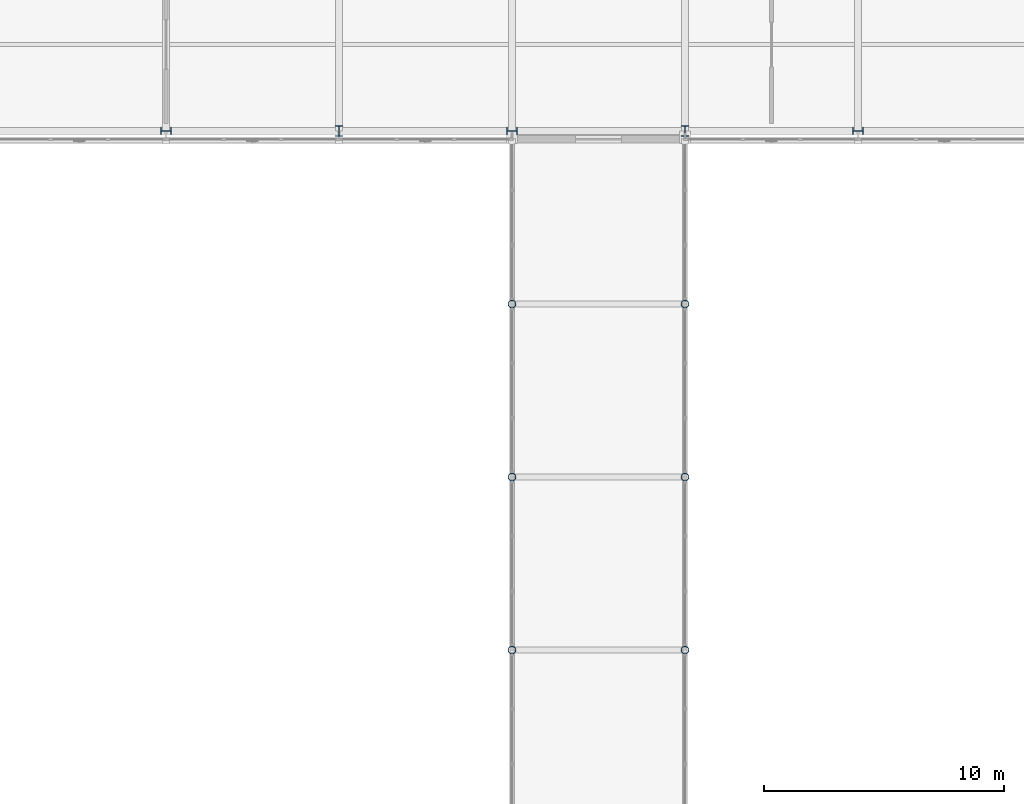
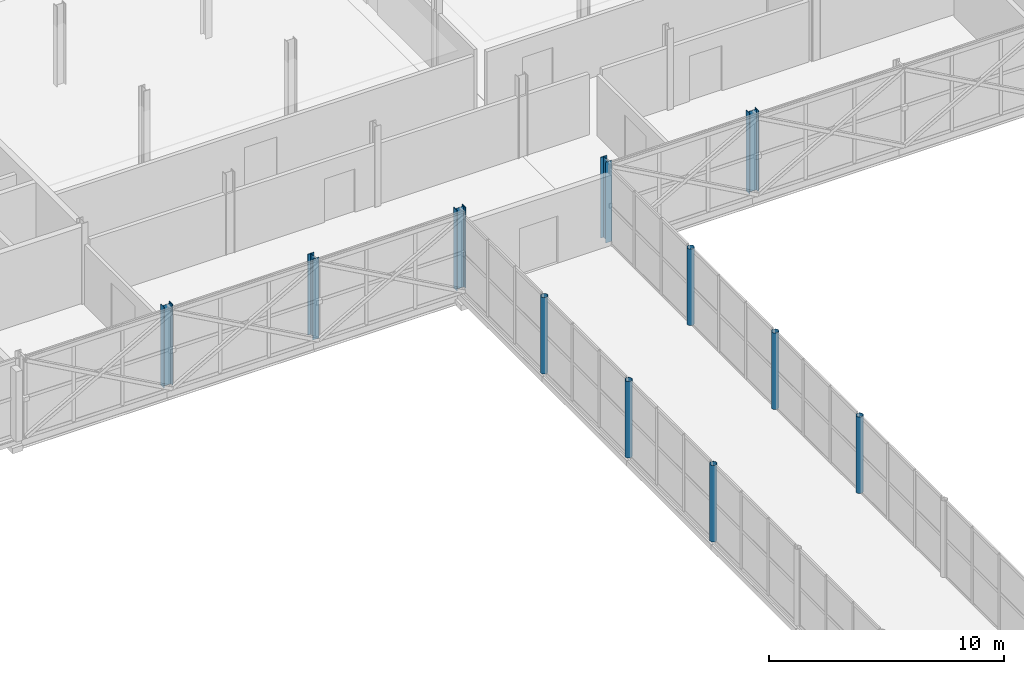
# One storey, part 16 of 146: 11 columns.
"""IFC4 building model written with IfcOpenShell, lengths in metres."""

from ifc_helpers import new_model, si_unit, direction, frame, origin, origin_2d, place, context, subcontext, project, spatial, hollow_circle, i_section, extrude, material, material_profile, profile_set, type_object, element, save


model = new_model("IFC4")

# Units and contexts
model_context = context("Model", 3, precision=1e-05, world=origin(), true_north=direction((0.0, 1.0)))
body_context = subcontext(model_context, "Body", "Model", "MODEL_VIEW")
ifc_project = project(units=[si_unit("LENGTHUNIT", "METRE"), si_unit("AREAUNIT", "SQUARE_METRE"), si_unit("VOLUMEUNIT", "CUBIC_METRE"), si_unit("PLANEANGLEUNIT", "RADIAN"), si_unit("MASSUNIT", "GRAM", prefix="KILO")], contexts=[model_context])

# Site, building, storey
site_placement = place(None, origin())
site = spatial("IfcSite", under=ifc_project, at=site_placement, CompositionType="ELEMENT")
building_placement = place(site_placement, origin())
building = spatial("IfcBuilding", under=site, at=building_placement, Name="Zlatovets Crest Museum", CompositionType="ELEMENT")
storey_placement = place(building_placement, frame((0.0, 0.0, 4.5)))
storey = spatial("IfcBuildingStorey", under=building, at=storey_placement, Name="L01", CompositionType="ELEMENT", Elevation=4.5)

# Columns
ifc_material = material(Name="Structural steel S355J2", Category="steel")
ifc_material_profile_1 = material_profile(ifc_material, i_section(OverallWidth=0.300048828125, OverallDepth=0.449951171875, WebThickness=0.013916015625, FlangeThickness=0.02587890625, FilletRadius=0.027099609375, at=origin_2d()), Name="HEB 450")
ifc_profile_set_1 = profile_set([ifc_material_profile_1], Name="Structural steel S355J2")
column_type_1 = type_object("IfcColumnType", Name="Col_C-06", PredefinedType="COLUMN", material=ifc_profile_set_1)
for number, where, z_axis, x_axis, name in (
    (1, (64.800048828125, 86.39990234375, 0.0), (0.0, 0.0, 1.0), (0.0, 1.0, 0.0), "V1 L01 Column (64.8, 86.4)"),
    (2, (72.0, 86.39990234375, 0.0), (0.0, 0.0, 1.0), (1.0, 0.0, 0.0), "V1 L01 Column (72.0, 86.4)"),
    (3, (79.199951171875, 86.39990234375, 0.0), (0.0, 0.0, 1.0), (0.0, 1.0, 0.0), "V1 L01 Column (79.2, 86.4)"),
    (4, (86.39990234375, 86.39990234375, 0.0), (0.0, 0.0, 1.0), (1.0, 0.0, 0.0), "V1 L01 Column (86.4, 86.4)"),
    (5, (93.60009765625, 86.39990234375, 0.0), (0.0, 0.0, 1.0), (0.0, 1.0, 0.0), "V1 L01 Column (93.6, 86.4)"),
):
    element("IfcColumn", number, at=place(storey_placement, frame(where, z_axis=z_axis, x_axis=x_axis)), inside=storey, type_object=column_type_1, Name=name, PredefinedType="COLUMN", context=body_context, shape_type="SweptSolid", body=[
        extrude(i_section(OverallWidth=0.300048828125, OverallDepth=0.449951171875, WebThickness=0.013916015625, FlangeThickness=0.02587890625, FilletRadius=0.027099609375, at=origin_2d()), origin(), (0.0, 0.0, 1.0), 4.199951171875),
    ])
ifc_material_profile_2 = material_profile(ifc_material, hollow_circle(Radius=0.161865234375, WallThickness=0.012451171875, at=origin_2d()), Name="CHS 323.9x12.5")
ifc_profile_set_2 = profile_set([ifc_material_profile_2], Name="Structural steel S355J2")
column_type_2 = type_object("IfcColumnType", Name="Col_C-13", PredefinedType="COLUMN", material=ifc_profile_set_2)
for number, where, z_axis, x_axis, name in (
    (6, (79.199951171875, 64.800048828125, 0.0), (0.0, 0.0, 1.0), (1.0, 0.0, 0.0), "Central Sculpture Court Cloister and Skywalk Portal Column"),
    (7, (86.39990234375, 64.800048828125, 0.0), (0.0, 0.0, 1.0), (1.0, 0.0, 0.0), "Central Sculpture Court Cloister and Skywalk Portal Column"),
    (8, (79.199951171875, 72.0, 0.0), (0.0, 0.0, 1.0), (1.0, 0.0, 0.0), "Central Sculpture Court Cloister and Skywalk Portal Column"),
    (9, (86.39990234375, 72.0, 0.0), (0.0, 0.0, 1.0), (1.0, 0.0, 0.0), "Central Sculpture Court Cloister and Skywalk Portal Column"),
    (10, (79.199951171875, 79.199951171875, 0.0), (0.0, 0.0, 1.0), (1.0, 0.0, 0.0), "Central Sculpture Court Cloister and Skywalk Portal Column"),
    (11, (86.39990234375, 79.199951171875, 0.0), (0.0, 0.0, 1.0), (1.0, 0.0, 0.0), "Central Sculpture Court Cloister and Skywalk Portal Column"),
):
    element("IfcColumn", number, at=place(storey_placement, frame(where, z_axis=z_axis, x_axis=x_axis)), inside=storey, type_object=column_type_2, Name=name, PredefinedType="COLUMN", context=body_context, shape_type="SweptSolid", body=[
        extrude(hollow_circle(Radius=0.161865234375, WallThickness=0.012451171875, at=origin_2d()), origin(), (0.0, 0.0, 1.0), 3.97998046875),
    ])

save(model, "model.ifc")
